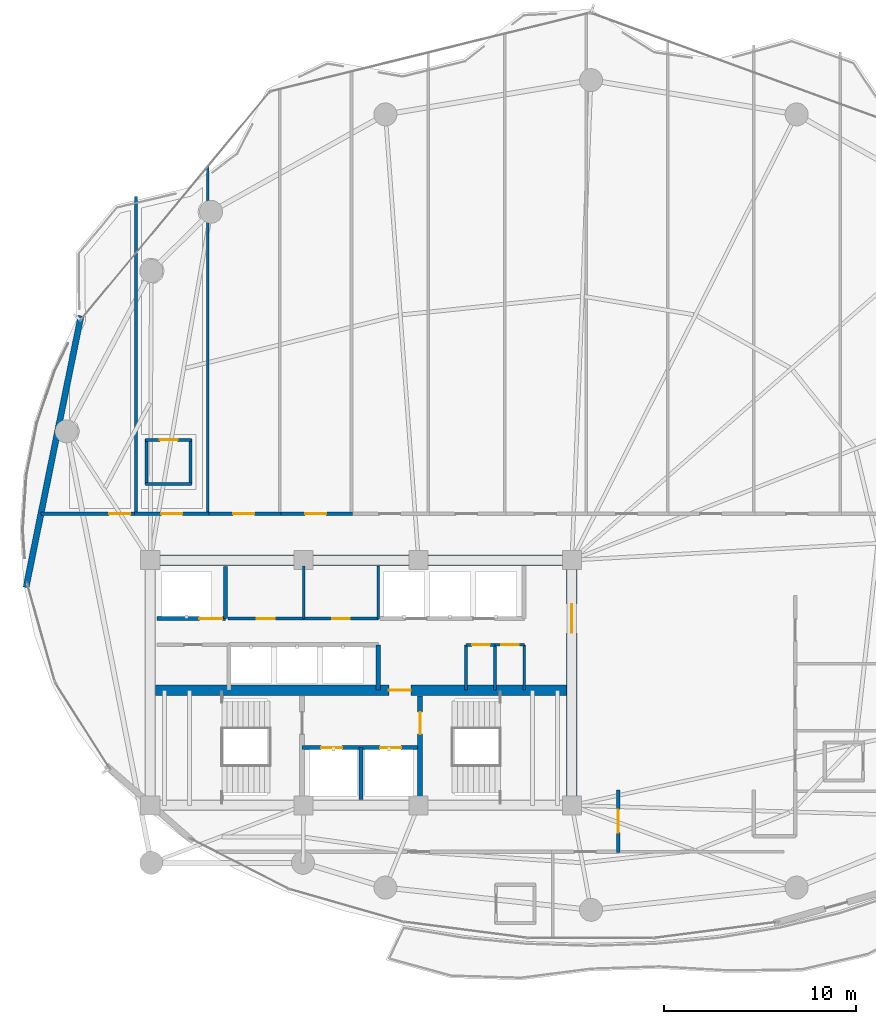
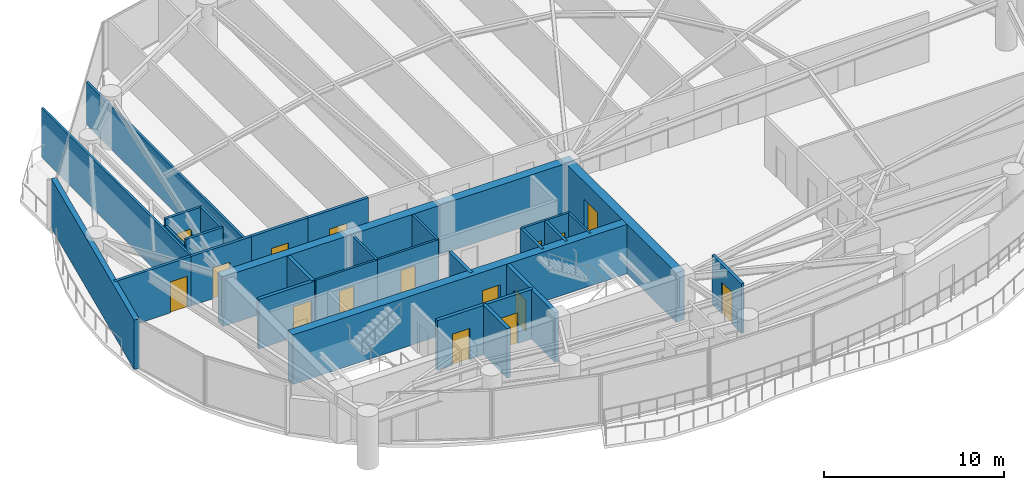
# One storey, part 23 of 28: 30 walls, 16 doors, 16 openings.
"""IFC4 building model written with IfcOpenShell, lengths in metres."""

import ifcopenshell
import ifcopenshell.guid

model = None  # the IFC model being written
_history = None  # IfcOwnerHistory: only IFC2X3 demands one
_inside = {}  # id of a spatial element -> (the spatial element, [elements in it])
_under = {}  # id of a project, library or spatial element -> (it, [spatial elements below it])
_declared = {}  # id of a project -> (the project, [libraries it declares])
_typed = {}  # id of a type object -> (the type object, [elements of that type])
_made_of = {}  # id of a material, layer set ... -> (it, [elements and type objects made of it])


def new_model(schema):
    """Start an empty IFC model of exactly this schema.

    Asked for "IFC4X3", IfcOpenShell would pick the latest addendum, in which some entities
    have other attributes; the version numbers below select the first issue.
    IFC2X3 requires an IfcOwnerHistory on every rooted entity: one is made here for all.
    """
    global model, _history
    if schema == "IFC4X3":
        model = ifcopenshell.file(schema_version=(4, 3, 0, 0))
    else:
        model = ifcopenshell.file(schema=schema)
    _inside.clear()
    _under.clear()
    _declared.clear()
    _typed.clear()
    _made_of.clear()
    _history = None
    if model.schema == "IFC2X3":
        org = make("IfcOrganization", Name="unknown")
        user = make(
            "IfcPersonAndOrganization",
            ThePerson=make("IfcPerson", FamilyName="unknown"),
            TheOrganization=org,
        )
        app = make(
            "IfcApplication",
            ApplicationDeveloper=org,
            Version="unknown",
            ApplicationFullName="unknown",
            ApplicationIdentifier="unknown",
        )
        _history = make(
            "IfcOwnerHistory",
            OwningUser=user,
            OwningApplication=app,
            ChangeAction="ADDED",
            CreationDate=0,
        )
    return model


def make(cls, **values):
    """One entity of the class cls with the attributes given. An attribute that is None is left unset."""
    return model.create_entity(
        cls, **{name: value for name, value in values.items() if value is not None}
    )


def rooted(cls, **values):
    """An entity with a GlobalId (a new one), such as an element, a storey or a relation."""
    return make(cls, GlobalId=ifcopenshell.guid.new(), OwnerHistory=_history, **values)


def si_unit(unit_type, name, prefix=None):
    """IfcSIUnit, for example si_unit("LENGTHUNIT", "METRE", prefix="MILLI")."""
    return make("IfcSIUnit", UnitType=unit_type, Prefix=prefix, Name=name)


def assignment(units):
    """IfcUnitAssignment: the units of a project."""
    return None if units is None else make("IfcUnitAssignment", Units=units)


def point(xyz):
    """IfcCartesianPoint."""
    return None if xyz is None else make("IfcCartesianPoint", Coordinates=xyz)


def direction(xyz):
    """IfcDirection."""
    return None if xyz is None else make("IfcDirection", DirectionRatios=xyz)


def frame(location, z_axis=None, x_axis=None):
    """IfcAxis2Placement3D, a coordinate frame: its origin and axes. An axis left out is left unset."""
    return make(
        "IfcAxis2Placement3D",
        Location=point(location),
        Axis=direction(z_axis),
        RefDirection=direction(x_axis),
    )


def frame_2d(location, x_axis=None):
    """IfcAxis2Placement2D, a coordinate frame in the plane: its origin and x axis."""
    return make(
        "IfcAxis2Placement2D", Location=point(location), RefDirection=direction(x_axis)
    )


def origin():
    """The frame at (0, 0, 0) with its axes left unset."""
    return frame((0.0, 0.0, 0.0))


def place(relative_to, where):
    """IfcLocalPlacement: puts the frame where relative to a parent placement (None: the world)."""
    return make(
        "IfcLocalPlacement", PlacementRelTo=relative_to, RelativePlacement=where
    )


def context(
    kind, dimensions, precision=None, world=None, true_north=None, identifier=None
):
    """IfcGeometricRepresentationContext, for example the 3D "Model" context."""
    return make(
        "IfcGeometricRepresentationContext",
        ContextIdentifier=identifier,
        ContextType=kind,
        CoordinateSpaceDimension=dimensions,
        Precision=precision,
        WorldCoordinateSystem=world,
        TrueNorth=true_north,
    )


def subcontext(parent, identifier, kind, view, scale=None):
    """IfcGeometricRepresentationSubContext, for example "Body" below "Model"."""
    return make(
        "IfcGeometricRepresentationSubContext",
        ContextIdentifier=identifier,
        ContextType=kind,
        ParentContext=parent,
        TargetScale=scale,
        TargetView=view,
    )


def project(units=None, contexts=None):
    """IfcProject with its units and contexts."""
    return rooted(
        "IfcProject",
        Name="project",
        RepresentationContexts=contexts,
        UnitsInContext=assignment(units),
    )


def spatial(cls, under=None, at=None, **own):
    """A site, building, storey or space (cls), placed at a placement, below another one or the project."""
    s = rooted(cls, ObjectPlacement=at, **own)
    if under is not None:
        _under.setdefault(under.id(), (under, []))[1].append(s)
    return s


def profile(cls, at=None, kind="AREA", **sizes):
    """A parametric profile (cls). Its sizes go by their IFC names, for example OverallWidth=200.0."""
    return make(cls, ProfileType=kind, Position=at, **sizes)


def rectangle(**sizes):
    """IfcRectangleProfileDef."""
    return profile("IfcRectangleProfileDef", **sizes)


def extrude(swept, where, along, depth):
    """IfcExtrudedAreaSolid: the profile swept, set in the frame where, extruded along a direction by depth."""
    return make(
        "IfcExtrudedAreaSolid",
        SweptArea=swept,
        Position=where,
        ExtrudedDirection=direction(along),
        Depth=depth,
    )


def shape(context_of_items, identifier, shape_type, items):
    """IfcShapeRepresentation: the items that make up one representation, for example the "Body"."""
    return make(
        "IfcShapeRepresentation",
        ContextOfItems=context_of_items,
        RepresentationIdentifier=identifier,
        RepresentationType=shape_type,
        Items=items,
    )


def material(Name=None, Category=None):
    """IfcMaterial."""
    return make("IfcMaterial", Name=Name, Category=Category)


def layer(
    of_material, thickness, ventilated=None, Name=None, Category=None, Priority=None
):
    """IfcMaterialLayer: one layer of a wall or slab, of a material (None: an air gap)."""
    return make(
        "IfcMaterialLayer",
        Material=of_material,
        LayerThickness=thickness,
        IsVentilated=ventilated,
        Name=Name,
        Category=Category,
        Priority=Priority,
    )


def layer_set(layers, Name=None):
    """IfcMaterialLayerSet."""
    return make("IfcMaterialLayerSet", MaterialLayers=layers, LayerSetName=Name)


def made_of(thing, what):
    """Note that an element or type object is made of a material, layer set ...; save() writes the relation."""
    if what is not None:
        _made_of.setdefault(what.id(), (what, []))[1].append(thing)
    return thing


def type_object(cls, material=None, **own):
    """A type object (cls), such as IfcWallType, which elements share."""
    return made_of(rooted(cls, **own), material)


def element(
    cls,
    number,
    at=None,
    inside=None,
    cuts=None,
    type_object=None,
    material=None,
    context=None,
    identifier="Body",
    shape_type=None,
    held_by="IfcProductDefinitionShape",
    body=None,
    shapes=None,
    **own,
):
    """One element of the class cls, such as IfcWall. Its Tag is "e" and its number.

    at: its placement. inside: the storey or other place that contains it. cuts: it is an
    opening in that element (IfcRelVoidsElement). A single representation is given by context,
    identifier, shape_type and body (its items); several are given by shapes. held_by: the class
    of the entity that holds the representations. save() writes the other relations.
    """
    e = rooted(cls, Tag="e%d" % number, ObjectPlacement=at, **own)
    if body is not None:
        shapes = [shape(context, identifier, shape_type, body)]
    if shapes is not None:
        e.Representation = make(held_by, Representations=shapes)
    if inside is not None:
        _inside.setdefault(inside.id(), (inside, []))[1].append(e)
    if cuts is not None:
        rooted(
            "IfcRelVoidsElement", RelatingBuildingElement=cuts, RelatedOpeningElement=e
        )
    if type_object is not None:
        _typed.setdefault(type_object.id(), (type_object, []))[1].append(e)
    return made_of(e, material)


def fill(opening, filler):
    """IfcRelFillsElement: the door or window that sits in an opening."""
    return rooted(
        "IfcRelFillsElement",
        RelatingOpeningElement=opening,
        RelatedBuildingElement=filler,
    )


def aggregate(whole, parts):
    """IfcRelAggregates: a whole, such as a stair, and the parts it consists of."""
    return rooted("IfcRelAggregates", RelatingObject=whole, RelatedObjects=parts)


def save(model, path):
    """Write the relations noted so far, then the file.

    IfcRelAggregates (storeys below a building ...), IfcRelContainedInSpatialStructure (elements
    in a storey), IfcRelDefinesByType, IfcRelAssociatesMaterial and IfcRelDeclares: one each for
    every whole, place, type object, material and project.
    """
    for whole, parts in _under.values():
        aggregate(whole, parts)
    for where, things in _inside.values():
        rooted(
            "IfcRelContainedInSpatialStructure",
            RelatedElements=things,
            RelatingStructure=where,
        )
    for kind, things in _typed.values():
        rooted("IfcRelDefinesByType", RelatedObjects=things, RelatingType=kind)
    for what, things in _made_of.values():
        rooted("IfcRelAssociatesMaterial", RelatedObjects=things, RelatingMaterial=what)
    for by, libraries in _declared.values():
        rooted("IfcRelDeclares", RelatingContext=by, RelatedDefinitions=libraries)
    model.write(path)


model = new_model("IFC4")

# Units and contexts
model_context = context("Model", 3, precision=1e-05, world=origin(), true_north=direction((0.0, 1.0)))
body_context = subcontext(model_context, "Body", "Model", "MODEL_VIEW")
ifc_project = project(units=[si_unit("LENGTHUNIT", "METRE"), si_unit("AREAUNIT", "SQUARE_METRE"), si_unit("VOLUMEUNIT", "CUBIC_METRE"), si_unit("PLANEANGLEUNIT", "RADIAN"), si_unit("MASSUNIT", "GRAM", prefix="KILO")], contexts=[model_context])

# Site, building, storey
site_placement = place(None, origin())
site = spatial("IfcSite", under=ifc_project, at=site_placement, CompositionType="ELEMENT")
building_placement = place(site_placement, origin())
building = spatial("IfcBuilding", under=site, at=building_placement, Name="Kazevale Care Tower and Concert Hall", CompositionType="ELEMENT")
storey_placement = place(building_placement, frame((0.0, 0.0, 120.60009765625)))
storey = spatial("IfcBuildingStorey", under=building, at=storey_placement, Name="L31", CompositionType="ELEMENT", Elevation=120.60009765625)

# Wall, opening, door
ifc_material_1 = material(Name="Acoustic Gypsum on Steel Stud", Category="steel")
ifc_layer_1 = layer(ifc_material_1, 0.139892578125)
ifc_layer_set_1 = layer_set([ifc_layer_1], Name="Acoustic Gypsum on Steel Stud")
wall_type_1 = type_object("IfcWallType", Name="Acoustic Care & Suite Partition 140", PredefinedType="PARTITIONING", material=ifc_layer_set_1)
wall_1_placement = place(storey_placement, frame((26.050048828125, 33.35009765625, 0.0), z_axis=(0.0, 0.0, 1.0), x_axis=(1.0, 0.0, 0.0)))
wall_1 = element("IfcWall", 1, at=wall_1_placement, inside=storey, type_object=wall_type_1, Name="wall:L31:c_rpl1_s", PredefinedType="PARTITIONING", context=body_context, shape_type="SweptSolid", body=[
    extrude(rectangle(XDim=3.949951171875, YDim=0.139892578125, at=frame_2d((1.97509765625, 0.0))), origin(), (0.0, 0.0, 1.0), 3.35986328125),
])
opening_1_placement = place(wall_1_placement, frame((1.514892578125, 0.0, 0.0)))
opening_1 = element("IfcOpeningElement", 2, at=opening_1_placement, cuts=wall_1, Name="Opening ID-900", PredefinedType="OPENING", context=body_context, shape_type="SweptSolid", body=[
    extrude(rectangle(XDim=0.919921875, YDim=2.10009765625, at=frame_2d((0.4599609375, 1.050048828125))), frame((0.0, 0.079833984375, 0.0), z_axis=(0.0, -1.0, 0.0), x_axis=(1.0, 0.0, 0.0)), (0.0, 0.0, 1.0), 0.159912109375),
])
ifc_material_2 = material(Name="Oak Timber Fire Leaf", Category="wood")
door_type_1 = type_object("IfcDoorType", Name="Bathroom & Service Door 920x2100", OperationType="NOTDEFINED", PredefinedType="DOOR", material=ifc_material_2)
door_1_placement = place(opening_1_placement, origin())
door_1 = element("IfcDoor", 3, at=door_1_placement, inside=storey, type_object=door_type_1, Name="door:L31:d_rpl1", OperationType="SINGLE_SWING_LEFT", OverallHeight=2.10009765625, OverallWidth=0.919921875, PredefinedType="DOOR", context=body_context, shape_type="SweptSolid", body=[
    extrude(rectangle(XDim=0.919921875, YDim=2.10009765625, at=frame_2d((0.4599609375, 1.050048828125))), frame((0.0, 0.02490234375, 0.0), z_axis=(0.0, -1.0, 0.0), x_axis=(1.0, 0.0, 0.0)), (0.0, 0.0, 1.0), 0.050048828125),
])
fill(opening_1, door_1)

wall_2_placement = place(storey_placement, frame((30.0, 33.35009765625, 0.0), z_axis=(0.0, 0.0, 1.0), x_axis=(1.0, 0.0, 0.0)))
wall_2 = element("IfcWall", 4, at=wall_2_placement, inside=storey, type_object=wall_type_1, Name="wall:L31:c_rpl2_s", PredefinedType="PARTITIONING", context=body_context, shape_type="SweptSolid", body=[
    extrude(rectangle(XDim=3.919921875, YDim=0.139892578125, at=frame_2d((1.9599609375, 0.0))), origin(), (0.0, 0.0, 1.0), 3.35986328125),
])
opening_2_placement = place(wall_2_placement, frame((1.5, 0.0, 0.0)))
opening_2 = element("IfcOpeningElement", 5, at=opening_2_placement, cuts=wall_2, Name="Opening ID-900", PredefinedType="OPENING", context=body_context, shape_type="SweptSolid", body=[
    extrude(rectangle(XDim=0.919921875, YDim=2.10009765625, at=frame_2d((0.4599609375, 1.050048828125))), frame((0.0, 0.079833984375, 0.0), z_axis=(0.0, -1.0, 0.0), x_axis=(1.0, 0.0, 0.0)), (0.0, 0.0, 1.0), 0.159912109375),
])
door_2_placement = place(opening_2_placement, origin())
door_2 = element("IfcDoor", 6, at=door_2_placement, inside=storey, type_object=door_type_1, Name="door:L31:d_rpl2", OperationType="SINGLE_SWING_RIGHT", OverallHeight=2.10009765625, OverallWidth=0.919921875, PredefinedType="DOOR", context=body_context, shape_type="SweptSolid", body=[
    extrude(rectangle(XDim=0.919921875, YDim=2.10009765625, at=frame_2d((0.4599609375, 1.050048828125))), frame((0.0, 0.02490234375, 0.0), z_axis=(0.0, -1.0, 0.0), x_axis=(1.0, 0.0, 0.0)), (0.0, 0.0, 1.0), 0.050048828125),
])
fill(opening_2, door_2)

# Walls
for number, where, z_axis, x_axis, name in (
    (7, (30.0, 33.35009765625, 0.0), (0.0, 0.0, 1.0), (0.0, 1.0, 0.0), "wall:L31:c_rpl_m"),
    (8, (33.89990234375, 33.35009765625, 0.0), (0.0, 0.0, 1.0), (0.0, 1.0, 0.0), "wall:L31:c_rpl_e"),
):
    element("IfcWall", number, at=place(storey_placement, frame(where, z_axis=z_axis, x_axis=x_axis)), inside=storey, type_object=wall_type_1, Name=name, PredefinedType="PARTITIONING", context=body_context, shape_type="SweptSolid", body=[
        extrude(rectangle(XDim=2.75, YDim=0.139892578125, at=frame_2d((1.375, 0.0))), origin(), (0.0, 0.0, 1.0), 3.35986328125),
    ])
wall_3_placement = place(storey_placement, frame((41.52001953125, 29.6201171875, 0.0), z_axis=(0.0, 0.0, 1.0), x_axis=(0.0, 1.0, 0.0)))
element("IfcWall", 9, at=wall_3_placement, inside=storey, type_object=wall_type_1, Name="wall:L31:ka_ee", PredefinedType="PARTITIONING", context=body_context, shape_type="SweptSolid", body=[
    extrude(rectangle(XDim=2.35986328125, YDim=0.139892578125, at=frame_2d((1.179931640625, 0.0))), origin(), (0.0, 0.0, 1.0), 3.35986328125),
])

# Wall, opening, door
wall_4_placement = place(storey_placement, frame((40.0, 31.97998046875, 0.0), z_axis=(0.0, 0.0, 1.0), x_axis=(1.0, 0.0, 0.0)))
wall_4 = element("IfcWall", 10, at=wall_4_placement, inside=storey, type_object=wall_type_1, Name="wall:L31:ka_en2", PredefinedType="PARTITIONING", context=body_context, shape_type="SweptSolid", body=[
    extrude(rectangle(XDim=1.52001953125, YDim=0.139892578125, at=frame_2d((0.760009765625, 0.0))), origin(), (0.0, 0.0, 1.0), 3.35986328125),
])
opening_3_placement = place(wall_4_placement, frame((0.320068359375, 0.0, 0.0)))
opening_3 = element("IfcOpeningElement", 11, at=opening_3_placement, cuts=wall_4, Name="Opening ID-900", PredefinedType="OPENING", context=body_context, shape_type="SweptSolid", body=[
    extrude(rectangle(XDim=0.919921875, YDim=2.10009765625, at=frame_2d((0.4599609375, 1.050048828125))), frame((0.0, 0.079833984375, 0.0), z_axis=(0.0, -1.0, 0.0), x_axis=(1.0, 0.0, 0.0)), (0.0, 0.0, 1.0), 0.159912109375),
])
door_3_placement = place(opening_3_placement, origin())
door_3 = element("IfcDoor", 12, at=door_3_placement, inside=storey, type_object=door_type_1, Name="door:L31:d_kae2", OperationType="SINGLE_SWING_RIGHT", OverallHeight=2.10009765625, OverallWidth=0.919921875, PredefinedType="DOOR", context=body_context, shape_type="SweptSolid", body=[
    extrude(rectangle(XDim=0.919921875, YDim=2.10009765625, at=frame_2d((0.4599609375, 1.050048828125))), frame((0.0, 0.02490234375, 0.0), z_axis=(0.0, -1.0, 0.0), x_axis=(1.0, 0.0, 0.0)), (0.0, 0.0, 1.0), 0.050048828125),
])
fill(opening_3, door_3)

# Walls
wall_5_placement = place(storey_placement, frame((21.25, 55.3779296875, 0.0), z_axis=(0.0, 0.0, 1.0), x_axis=(0.0, -1.0, 0.0)))
element("IfcWall", 13, at=wall_5_placement, inside=storey, type_object=wall_type_1, Name="wall:L31:auto_021", PredefinedType="PARTITIONING", context=body_context, shape_type="SweptSolid", body=[
    extrude(rectangle(XDim=16.5830078125, YDim=0.139892578125, at=frame_2d((8.29150390625, 0.0))), origin(), (0.0, 0.0, 1.0), 3.35986328125),
])
wall_6_placement = place(storey_placement, frame((25.0, 56.931396484375, 0.0), z_axis=(0.0, 0.0, 1.0), x_axis=(0.0, -1.0, 0.0)))
element("IfcWall", 14, at=wall_6_placement, inside=storey, type_object=wall_type_1, Name="wall:L31:auto_022", PredefinedType="PARTITIONING", context=body_context, shape_type="SweptSolid", body=[
    extrude(rectangle(XDim=18.136474609375, YDim=0.139892578125, at=frame_2d((9.068359375, 0.0))), origin(), (0.0, 0.0, 1.0), 2.889892578125),
])
ifc_material_3 = material(Name="Concrete C60", Category="concrete")
ifc_layer_2 = layer(ifc_material_3, 0.550048828125)
ifc_layer_set_2 = layer_set([ifc_layer_2], Name="Concrete C60")
wall_type_2 = type_object("IfcWallType", Name="Core Shear Wall 550 C60", PredefinedType="SHEAR", material=ifc_layer_set_2)
wall_7_placement = place(storey_placement, frame((21.72509765625, 36.39990234375, 0.0), z_axis=(0.0, 0.0, 1.0), x_axis=(1.0, 0.0, 0.0)))
element("IfcWall", 15, at=wall_7_placement, inside=storey, type_object=wall_type_2, Name="wall:L31:core:N", PredefinedType="SHEAR", context=body_context, shape_type="SweptSolid", body=[
    extrude(rectangle(XDim=22.5498046875, YDim=0.550048828125, at=frame_2d((11.27490234375, 0.0))), origin(), (0.0, 0.0, 1.0), 3.35986328125),
])

# Wall, opening, door
wall_8_placement = place(storey_placement, frame((44.0, 23.875, 0.0), z_axis=(0.0, 0.0, 1.0), x_axis=(0.0, 1.0, 0.0)))
wall_8 = element("IfcWall", 16, at=wall_8_placement, inside=storey, type_object=wall_type_2, Name="wall:L31:core:E", PredefinedType="SHEAR", context=body_context, shape_type="SweptSolid", body=[
    extrude(rectangle(XDim=12.25, YDim=0.550048828125, at=frame_2d((6.125, 0.0))), origin(), (0.0, 0.0, 1.0), 3.35986328125),
])
opening_4_placement = place(wall_8_placement, frame((8.72509765625, 0.0, 0.0)))
opening_4 = element("IfcOpeningElement", 17, at=opening_4_placement, cuts=wall_8, Name="Opening FD-60D", PredefinedType="OPENING", context=body_context, shape_type="SweptSolid", body=[
    extrude(rectangle(XDim=1.5, YDim=2.14990234375, at=frame_2d((0.75, 1.074951171875))), frame((0.0, 0.284912109375, 0.0), z_axis=(0.0, -1.0, 0.0), x_axis=(1.0, 0.0, 0.0)), (0.0, 0.0, 1.0), 0.570068359375),
])
door_type_2 = type_object("IfcDoorType", Name="Double Lobby & Auditorium Fire Door 1500x2150", OperationType="NOTDEFINED", PredefinedType="DOOR", material=ifc_material_2)
door_4_placement = place(opening_4_placement, origin())
door_4 = element("IfcDoor", 18, at=door_4_placement, inside=storey, type_object=door_type_2, Name="door:L31:core_east_out", OperationType="DOUBLE_DOOR_SINGLE_SWING", OverallHeight=2.14990234375, OverallWidth=1.5, PredefinedType="DOOR", context=body_context, shape_type="SweptSolid", body=[
    extrude(rectangle(XDim=1.5, YDim=2.14990234375, at=frame_2d((0.75, 1.074951171875))), frame((0.0, 0.02490234375, 0.0), z_axis=(0.0, -1.0, 0.0), x_axis=(1.0, 0.0, 0.0)), (0.0, 0.0, 1.0), 0.050048828125),
])
fill(opening_4, door_4)

wall_9_placement = place(storey_placement, frame((22.27490234375, 29.60009765625, 0.0), z_axis=(0.0, 0.0, 1.0), x_axis=(1.0, 0.0, 0.0)))
wall_9 = element("IfcWall", 19, at=wall_9_placement, inside=storey, type_object=wall_type_2, Name="wall:L31:core:M", PredefinedType="SHEAR", context=body_context, shape_type="SweptSolid", body=[
    extrude(rectangle(XDim=21.4501953125, YDim=0.550048828125, at=frame_2d((10.72509765625, 0.0))), origin(), (0.0, 0.0, 1.0), 3.35986328125),
])
opening_5_placement = place(wall_9_placement, frame((12.175048828125, 0.0, 0.0)))
opening_5 = element("IfcOpeningElement", 20, at=opening_5_placement, cuts=wall_9, Name="Opening FD-90", PredefinedType="OPENING", context=body_context, shape_type="SweptSolid", body=[
    extrude(rectangle(XDim=1.14990234375, YDim=2.10009765625, at=frame_2d((0.574951171875, 1.050048828125))), frame((0.0, 0.284912109375, 0.0), z_axis=(0.0, -1.0, 0.0), x_axis=(1.0, 0.0, 0.0)), (0.0, 0.0, 1.0), 0.570068359375),
])
ifc_material_4 = material(Name="Steel ASTM A572 Gr 50", Category="steel")
door_type_3 = type_object("IfcDoorType", Name="Pressurized Stair & Lobby Fire Door 1150x2100", OperationType="NOTDEFINED", PredefinedType="DOOR", material=ifc_material_4)
door_5_placement = place(opening_5_placement, origin())
door_5 = element("IfcDoor", 21, at=door_5_placement, inside=storey, type_object=door_type_3, Name="door:L31:ff_to_pax", OperationType="SINGLE_SWING_LEFT", OverallHeight=2.10009765625, OverallWidth=1.14990234375, PredefinedType="DOOR", context=body_context, shape_type="SweptSolid", body=[
    extrude(rectangle(XDim=1.14990234375, YDim=2.10009765625, at=frame_2d((0.574951171875, 1.050048828125))), frame((0.0, 0.02490234375, 0.0), z_axis=(0.0, -1.0, 0.0), x_axis=(1.0, 0.0, 0.0)), (0.0, 0.0, 1.0), 0.050048828125),
])
fill(opening_5, door_5)

# Wall, openings, doors
ifc_material_5 = material(Name="Concrete C40", Category="concrete")
ifc_layer_3 = layer(ifc_material_5, 0.219970703125)
ifc_layer_set_3 = layer_set([ifc_layer_3], Name="Concrete C40")
wall_type_3 = type_object("IfcWallType", Name="Elevator Hoistway Shaft Wall 220", PredefinedType="SOLIDWALL", material=ifc_layer_set_3)
wall_10_placement = place(storey_placement, frame((29.919921875, 26.6201171875, 0.0), z_axis=(0.0, 0.0, 1.0), x_axis=(1.0, 0.0, 0.0)))
wall_10 = element("IfcWall", 22, at=wall_10_placement, inside=storey, type_object=wall_type_3, Name="wall:L31:c_ffl_n", PredefinedType="SOLIDWALL", context=body_context, shape_type="SweptSolid", body=[
    extrude(rectangle(XDim=6.16015625, YDim=0.219970703125, at=frame_2d((3.080078125, 0.0))), origin(), (0.0, 0.0, 1.0), 3.35986328125),
])
opening_6_placement = place(wall_10_placement, frame((0.989990234375, 0.0, 0.0)))
opening_6 = element("IfcOpeningElement", 23, at=opening_6_placement, cuts=wall_10, Name="Opening LD-FF", PredefinedType="OPENING", context=body_context, shape_type="SweptSolid", body=[
    extrude(rectangle(XDim=1.10009765625, YDim=2.10009765625, at=frame_2d((0.550048828125, 1.050048828125))), frame((0.0, 0.119873046875, 0.0), z_axis=(0.0, -1.0, 0.0), x_axis=(1.0, 0.0, 0.0)), (0.0, 0.0, 1.0), 0.239990234375),
])
opening_7_placement = place(wall_10_placement, frame((4.070068359375, 0.0, 0.0)))
opening_7 = element("IfcOpeningElement", 24, at=opening_7_placement, cuts=wall_10, Name="Opening LD-FF", PredefinedType="OPENING", context=body_context, shape_type="SweptSolid", body=[
    extrude(rectangle(XDim=1.10009765625, YDim=2.10009765625, at=frame_2d((0.550048828125, 1.050048828125))), frame((0.0, 0.119873046875, 0.0), z_axis=(0.0, -1.0, 0.0), x_axis=(1.0, 0.0, 0.0)), (0.0, 0.0, 1.0), 0.239990234375),
])
ifc_material_6 = material(Name="Stainless Steel 316", Category="steel")
door_type_4 = type_object("IfcDoorType", Name="Emergency Lift Sliding Landing Door 1100x2100", OperationType="NOTDEFINED", PredefinedType="DOOR", material=ifc_material_6)
door_6_placement = place(opening_6_placement, origin())
door_6 = element("IfcDoor", 25, at=door_6_placement, inside=storey, type_object=door_type_4, Name="door:L31:ld_ffl1", OperationType="SLIDING_TO_LEFT", OverallHeight=2.10009765625, OverallWidth=1.10009765625, PredefinedType="DOOR", context=body_context, shape_type="SweptSolid", body=[
    extrude(rectangle(XDim=1.10009765625, YDim=2.10009765625, at=frame_2d((0.550048828125, 1.050048828125))), frame((0.0, 0.02490234375, 0.0), z_axis=(0.0, -1.0, 0.0), x_axis=(1.0, 0.0, 0.0)), (0.0, 0.0, 1.0), 0.050048828125),
])
fill(opening_6, door_6)
door_7_placement = place(opening_7_placement, origin())
door_7 = element("IfcDoor", 26, at=door_7_placement, inside=storey, type_object=door_type_4, Name="door:L31:ld_ffl2", OperationType="SLIDING_TO_RIGHT", OverallHeight=2.10009765625, OverallWidth=1.10009765625, PredefinedType="DOOR", context=body_context, shape_type="SweptSolid", body=[
    extrude(rectangle(XDim=1.10009765625, YDim=2.10009765625, at=frame_2d((0.550048828125, 1.050048828125))), frame((0.0, 0.02490234375, 0.0), z_axis=(0.0, -1.0, 0.0), x_axis=(1.0, 0.0, 0.0)), (0.0, 0.0, 1.0), 0.050048828125),
])
fill(opening_7, door_7)

# Walls
wall_11_placement = place(storey_placement, frame((33.0, 23.89990234375, 0.0), z_axis=(0.0, 0.0, 1.0), x_axis=(0.0, 1.0, 0.0)))
element("IfcWall", 27, at=wall_11_placement, inside=storey, type_object=wall_type_3, Name="wall:L31:c_ffl_m", PredefinedType="SOLIDWALL", context=body_context, shape_type="SweptSolid", body=[
    extrude(rectangle(XDim=2.72021484375, YDim=0.219970703125, at=frame_2d((1.360107421875, 0.0))), origin(), (0.0, 0.0, 1.0), 3.35986328125),
])
wall_12_placement = place(storey_placement, frame((25.919921875, 33.35009765625, 0.0), z_axis=(0.0, 0.0, 1.0), x_axis=(0.0, 1.0, 0.0)))
element("IfcWall", 28, at=wall_12_placement, inside=storey, type_object=wall_type_3, Name="wall:L31:c_svl_e", PredefinedType="SOLIDWALL", context=body_context, shape_type="SweptSolid", body=[
    extrude(rectangle(XDim=2.72998046875, YDim=0.219970703125, at=frame_2d((1.364990234375, 0.0))), origin(), (0.0, 0.0, 1.0), 3.35986328125),
])

# Wall, opening, door
wall_13_placement = place(storey_placement, frame((22.35009765625, 33.35009765625, 0.0), z_axis=(0.0, 0.0, 1.0), x_axis=(1.0, 0.0, 0.0)))
wall_13 = element("IfcWall", 29, at=wall_13_placement, inside=storey, type_object=wall_type_3, Name="wall:L31:c_svl_s", PredefinedType="SOLIDWALL", context=body_context, shape_type="SweptSolid", body=[
    extrude(rectangle(XDim=3.56982421875, YDim=0.219970703125, at=frame_2d((1.784912109375, 0.0))), origin(), (0.0, 0.0, 1.0), 3.35986328125),
])
opening_8_placement = place(wall_13_placement, frame((2.212890625, 0.0, 0.0)))
opening_8 = element("IfcOpeningElement", 30, at=opening_8_placement, cuts=wall_13, Name="Opening LD-SV", PredefinedType="OPENING", context=body_context, shape_type="SweptSolid", body=[
    extrude(rectangle(XDim=1.199951171875, YDim=2.10009765625, at=frame_2d((0.60009765625, 1.050048828125))), frame((0.0, 0.119873046875, 0.0), z_axis=(0.0, -1.0, 0.0), x_axis=(1.0, 0.0, 0.0)), (0.0, 0.0, 1.0), 0.239990234375),
])
door_type_5 = type_object("IfcDoorType", Name="Service Lift Sliding Landing Door 1200x2100", OperationType="NOTDEFINED", PredefinedType="DOOR", material=ifc_material_6)
door_8_placement = place(opening_8_placement, origin())
door_8 = element("IfcDoor", 31, at=door_8_placement, inside=storey, type_object=door_type_5, Name="door:L31:ld_svl1", OperationType="SLIDING_TO_LEFT", OverallHeight=2.10009765625, OverallWidth=1.199951171875, PredefinedType="DOOR", context=body_context, shape_type="SweptSolid", body=[
    extrude(rectangle(XDim=1.199951171875, YDim=2.10009765625, at=frame_2d((0.60009765625, 1.050048828125))), frame((0.0, 0.02490234375, 0.0), z_axis=(0.0, -1.0, 0.0), x_axis=(1.0, 0.0, 0.0)), (0.0, 0.0, 1.0), 0.050048828125),
])
fill(opening_8, door_8)

# Wall
wall_14_placement = place(storey_placement, frame((33.89990234375, 29.6201171875, 0.0), z_axis=(0.0, 0.0, 1.0), x_axis=(0.0, 1.0, 0.0)))
element("IfcWall", 32, at=wall_14_placement, inside=storey, type_object=wall_type_3, Name="wall:L31:c_ph_e", PredefinedType="SOLIDWALL", context=body_context, shape_type="SweptSolid", body=[
    extrude(rectangle(XDim=2.35986328125, YDim=0.219970703125, at=frame_2d((1.179931640625, 0.0))), origin(), (0.0, 0.0, 1.0), 3.35986328125),
])

# Wall, opening, door
ifc_material_7 = material(Name="Concrete C40 and Acoustic Gypsum", Category="concrete")
ifc_layer_4 = layer(ifc_material_7, 0.179931640625)
ifc_layer_set_4 = layer_set([ifc_layer_4], Name="Concrete C40 and Acoustic Gypsum")
wall_type_4 = type_object("IfcWallType", Name="Fire-Rated Corridor & Party Wall 180", PredefinedType="PARTITIONING", material=ifc_layer_set_4)
wall_15_placement = place(storey_placement, frame((16.3046875, 38.824951171875, 0.0), z_axis=(0.0, 0.0, 1.0), x_axis=(1.0, 0.0, 0.0)))
wall_15 = element("IfcWall", 33, at=wall_15_placement, inside=storey, type_object=wall_type_4, Name="wall:L31:auto_001", PredefinedType="PARTITIONING", context=body_context, shape_type="SweptSolid", body=[
    extrude(rectangle(XDim=5.01025390625, YDim=0.179931640625, at=frame_2d((2.505126953125, 0.0))), origin(), (0.0, 0.0, 1.0), 3.35986328125),
])
opening_9_placement = place(wall_15_placement, frame((3.550048828125, 0.0, 0.0)))
opening_9 = element("IfcOpeningElement", 34, at=opening_9_placement, cuts=wall_15, Name="Opening ID-1100", PredefinedType="OPENING", context=body_context, shape_type="SweptSolid", body=[
    extrude(rectangle(XDim=1.10009765625, YDim=2.10009765625, at=frame_2d((0.550048828125, 1.050048828125))), frame((0.0, 0.099853515625, 0.0), z_axis=(0.0, -1.0, 0.0), x_axis=(1.0, 0.0, 0.0)), (0.0, 0.0, 1.0), 0.199951171875),
])
door_type_6 = type_object("IfcDoorType", Name="Care Bedroom Accessible Door 1100x2100", OperationType="NOTDEFINED", PredefinedType="DOOR", material=ifc_material_2)
door_9_placement = place(opening_9_placement, origin())
door_9 = element("IfcDoor", 35, at=door_9_placement, inside=storey, type_object=door_type_6, Name="door:L31:ad_001", OperationType="SINGLE_SWING_LEFT", OverallHeight=2.10009765625, OverallWidth=1.10009765625, PredefinedType="DOOR", context=body_context, shape_type="SweptSolid", body=[
    extrude(rectangle(XDim=1.10009765625, YDim=2.10009765625, at=frame_2d((0.550048828125, 1.050048828125))), frame((0.0, 0.02490234375, 0.0), z_axis=(0.0, -1.0, 0.0), x_axis=(1.0, 0.0, 0.0)), (0.0, 0.0, 1.0), 0.050048828125),
])
fill(opening_9, door_9)

wall_16_placement = place(storey_placement, frame((21.18505859375, 38.824951171875, 0.0), z_axis=(0.0, 0.0, 1.0), x_axis=(1.0, 0.0, 0.0)))
wall_16 = element("IfcWall", 36, at=wall_16_placement, inside=storey, type_object=wall_type_4, Name="wall:L31:auto_002", PredefinedType="PARTITIONING", context=body_context, shape_type="SweptSolid", body=[
    extrude(rectangle(XDim=3.8798828125, YDim=0.179931640625, at=frame_2d((1.93994140625, 0.0))), origin(), (0.0, 0.0, 1.0), 3.35986328125),
])
opening_10_placement = place(wall_16_placement, frame((1.389892578125, 0.0, 0.0)))
opening_10 = element("IfcOpeningElement", 37, at=opening_10_placement, cuts=wall_16, Name="Opening ID-1100", PredefinedType="OPENING", context=body_context, shape_type="SweptSolid", body=[
    extrude(rectangle(XDim=1.10009765625, YDim=2.10009765625, at=frame_2d((0.550048828125, 1.050048828125))), frame((0.0, 0.099853515625, 0.0), z_axis=(0.0, -1.0, 0.0), x_axis=(1.0, 0.0, 0.0)), (0.0, 0.0, 1.0), 0.199951171875),
])
door_10_placement = place(opening_10_placement, origin())
door_10 = element("IfcDoor", 38, at=door_10_placement, inside=storey, type_object=door_type_6, Name="door:L31:ad_002", OperationType="SINGLE_SWING_LEFT", OverallHeight=2.10009765625, OverallWidth=1.10009765625, PredefinedType="DOOR", context=body_context, shape_type="SweptSolid", body=[
    extrude(rectangle(XDim=1.10009765625, YDim=2.10009765625, at=frame_2d((0.550048828125, 1.050048828125))), frame((0.0, 0.02490234375, 0.0), z_axis=(0.0, -1.0, 0.0), x_axis=(1.0, 0.0, 0.0)), (0.0, 0.0, 1.0), 0.050048828125),
])
fill(opening_10, door_10)

wall_17_placement = place(storey_placement, frame((24.93505859375, 38.824951171875, 0.0), z_axis=(0.0, 0.0, 1.0), x_axis=(1.0, 0.0, 0.0)))
wall_17 = element("IfcWall", 39, at=wall_17_placement, inside=storey, type_object=wall_type_4, Name="wall:L31:auto_003", PredefinedType="PARTITIONING", context=body_context, shape_type="SweptSolid", body=[
    extrude(rectangle(XDim=3.8798828125, YDim=0.179931640625, at=frame_2d((1.93994140625, 0.0))), origin(), (0.0, 0.0, 1.0), 3.35986328125),
])
opening_11_placement = place(wall_17_placement, frame((1.389892578125, 0.0, 0.0)))
opening_11 = element("IfcOpeningElement", 40, at=opening_11_placement, cuts=wall_17, Name="Opening ID-1100", PredefinedType="OPENING", context=body_context, shape_type="SweptSolid", body=[
    extrude(rectangle(XDim=1.10009765625, YDim=2.10009765625, at=frame_2d((0.550048828125, 1.050048828125))), frame((0.0, 0.099853515625, 0.0), z_axis=(0.0, -1.0, 0.0), x_axis=(1.0, 0.0, 0.0)), (0.0, 0.0, 1.0), 0.199951171875),
])
door_11_placement = place(opening_11_placement, origin())
door_11 = element("IfcDoor", 41, at=door_11_placement, inside=storey, type_object=door_type_6, Name="door:L31:ad_003", OperationType="SINGLE_SWING_LEFT", OverallHeight=2.10009765625, OverallWidth=1.10009765625, PredefinedType="DOOR", context=body_context, shape_type="SweptSolid", body=[
    extrude(rectangle(XDim=1.10009765625, YDim=2.10009765625, at=frame_2d((0.550048828125, 1.050048828125))), frame((0.0, 0.02490234375, 0.0), z_axis=(0.0, -1.0, 0.0), x_axis=(1.0, 0.0, 0.0)), (0.0, 0.0, 1.0), 0.050048828125),
])
fill(opening_11, door_11)

wall_18_placement = place(storey_placement, frame((28.68505859375, 38.824951171875, 0.0), z_axis=(0.0, 0.0, 1.0), x_axis=(1.0, 0.0, 0.0)))
wall_18 = element("IfcWall", 42, at=wall_18_placement, inside=storey, type_object=wall_type_4, Name="wall:L31:auto_004", PredefinedType="PARTITIONING", context=body_context, shape_type="SweptSolid", body=[
    extrude(rectangle(XDim=3.8798828125, YDim=0.179931640625, at=frame_2d((1.93994140625, 0.0))), origin(), (0.0, 0.0, 1.0), 3.35986328125),
])
opening_12_placement = place(wall_18_placement, frame((1.389892578125, 0.0, 0.0)))
opening_12 = element("IfcOpeningElement", 43, at=opening_12_placement, cuts=wall_18, Name="Opening ID-1100", PredefinedType="OPENING", context=body_context, shape_type="SweptSolid", body=[
    extrude(rectangle(XDim=1.10009765625, YDim=2.10009765625, at=frame_2d((0.550048828125, 1.050048828125))), frame((0.0, 0.099853515625, 0.0), z_axis=(0.0, -1.0, 0.0), x_axis=(1.0, 0.0, 0.0)), (0.0, 0.0, 1.0), 0.199951171875),
])
door_12_placement = place(opening_12_placement, origin())
door_12 = element("IfcDoor", 44, at=door_12_placement, inside=storey, type_object=door_type_6, Name="door:L31:ad_004", OperationType="SINGLE_SWING_LEFT", OverallHeight=2.10009765625, OverallWidth=1.10009765625, PredefinedType="DOOR", context=body_context, shape_type="SweptSolid", body=[
    extrude(rectangle(XDim=1.10009765625, YDim=2.10009765625, at=frame_2d((0.550048828125, 1.050048828125))), frame((0.0, 0.02490234375, 0.0), z_axis=(0.0, -1.0, 0.0), x_axis=(1.0, 0.0, 0.0)), (0.0, 0.0, 1.0), 0.050048828125),
])
fill(opening_12, door_12)

wall_19_placement = place(storey_placement, frame((46.425048828125, 24.405029296875, 0.0), z_axis=(0.0, 0.0, 1.0), x_axis=(0.0, -1.0, 0.0)))
wall_19 = element("IfcWall", 45, at=wall_19_placement, inside=storey, type_object=wall_type_4, Name="wall:L31:auto_012", PredefinedType="PARTITIONING", context=body_context, shape_type="SweptSolid", body=[
    extrude(rectangle(XDim=3.260009765625, YDim=0.179931640625, at=frame_2d((1.6298828125, 0.0))), origin(), (0.0, 0.0, 1.0), 3.35986328125),
])
opening_13_placement = place(wall_19_placement, frame((1.030029296875, 0.0, 0.0)))
opening_13 = element("IfcOpeningElement", 46, at=opening_13_placement, cuts=wall_19, Name="Opening ID-1200", PredefinedType="OPENING", context=body_context, shape_type="SweptSolid", body=[
    extrude(rectangle(XDim=1.199951171875, YDim=2.14990234375, at=frame_2d((0.60009765625, 1.074951171875))), frame((0.0, 0.099853515625, 0.0), z_axis=(0.0, -1.0, 0.0), x_axis=(1.0, 0.0, 0.0)), (0.0, 0.0, 1.0), 0.199951171875),
])
door_type_7 = type_object("IfcDoorType", Name="Clinical & Therapy Door 1200x2150", OperationType="NOTDEFINED", PredefinedType="DOOR", material=ifc_material_2)
door_13_placement = place(opening_13_placement, origin())
door_13 = element("IfcDoor", 47, at=door_13_placement, inside=storey, type_object=door_type_7, Name="door:L31:ad_012", OperationType="SINGLE_SWING_LEFT", OverallHeight=2.14990234375, OverallWidth=1.199951171875, PredefinedType="DOOR", context=body_context, shape_type="SweptSolid", body=[
    extrude(rectangle(XDim=1.199951171875, YDim=2.14990234375, at=frame_2d((0.60009765625, 1.074951171875))), frame((0.0, 0.02490234375, 0.0), z_axis=(0.0, -1.0, 0.0), x_axis=(1.0, 0.0, 0.0)), (0.0, 0.0, 1.0), 0.050048828125),
])
fill(opening_13, door_13)

# Walls
ifc_layer_5 = layer(ifc_material_1, 0.159912109375)
ifc_layer_set_5 = layer_set([ifc_layer_5], Name="Acoustic Gypsum on Steel Stud")
wall_type_5 = type_object("IfcWallType", Name="Moisture-Resistant Bathroom Plumbing Wall 160", PredefinedType="PLUMBINGWALL", material=ifc_layer_set_5)
for number, where, z_axis, x_axis, name in (
    (48, (38.47998046875, 29.6201171875, 0.0), (0.0, 0.0, 1.0), (0.0, 1.0, 0.0), "wall:L31:ka_ew"),
    (49, (40.0, 29.6201171875, 0.0), (0.0, 0.0, 1.0), (0.0, 1.0, 0.0), "wall:L31:ka_em"),
):
    element("IfcWall", number, at=place(storey_placement, frame(where, z_axis=z_axis, x_axis=x_axis)), inside=storey, type_object=wall_type_5, Name=name, PredefinedType="PLUMBINGWALL", context=body_context, shape_type="SweptSolid", body=[
        extrude(rectangle(XDim=2.35986328125, YDim=0.159912109375, at=frame_2d((1.179931640625, 0.0))), origin(), (0.0, 0.0, 1.0), 3.35986328125),
    ])

# Wall, opening, door
wall_20_placement = place(storey_placement, frame((38.47998046875, 31.97998046875, 0.0), z_axis=(0.0, 0.0, 1.0), x_axis=(1.0, 0.0, 0.0)))
wall_20 = element("IfcWall", 50, at=wall_20_placement, inside=storey, type_object=wall_type_5, Name="wall:L31:ka_en1", PredefinedType="PLUMBINGWALL", context=body_context, shape_type="SweptSolid", body=[
    extrude(rectangle(XDim=1.52001953125, YDim=0.159912109375, at=frame_2d((0.760009765625, 0.0))), origin(), (0.0, 0.0, 1.0), 3.35986328125),
])
opening_14_placement = place(wall_20_placement, frame((0.320068359375, 0.0, 0.0)))
opening_14 = element("IfcOpeningElement", 51, at=opening_14_placement, cuts=wall_20, Name="Opening ID-900", PredefinedType="OPENING", context=body_context, shape_type="SweptSolid", body=[
    extrude(rectangle(XDim=0.919921875, YDim=2.10009765625, at=frame_2d((0.4599609375, 1.050048828125))), frame((0.0, 0.08984375, 0.0), z_axis=(0.0, -1.0, 0.0), x_axis=(1.0, 0.0, 0.0)), (0.0, 0.0, 1.0), 0.179931640625),
])
door_14_placement = place(opening_14_placement, origin())
door_14 = element("IfcDoor", 52, at=door_14_placement, inside=storey, type_object=door_type_1, Name="door:L31:d_kae1", OperationType="SINGLE_SWING_LEFT", OverallHeight=2.10009765625, OverallWidth=0.919921875, PredefinedType="DOOR", context=body_context, shape_type="SweptSolid", body=[
    extrude(rectangle(XDim=0.919921875, YDim=2.10009765625, at=frame_2d((0.4599609375, 1.050048828125))), frame((0.0, 0.02490234375, 0.0), z_axis=(0.0, -1.0, 0.0), x_axis=(1.0, 0.0, 0.0)), (0.0, 0.0, 1.0), 0.050048828125),
])
fill(opening_14, door_14)

# Wall
wall_21_placement = place(storey_placement, frame((21.760009765625, 40.375, 0.0), z_axis=(0.0, 0.0, 1.0), x_axis=(1.0, 0.0, 0.0)))
element("IfcWall", 53, at=wall_21_placement, inside=storey, type_object=wall_type_5, Name="wall:L31:nb2b_ens_ws", PredefinedType="PLUMBINGWALL", context=body_context, shape_type="SweptSolid", body=[
    extrude(rectangle(XDim=2.3798828125, YDim=0.159912109375, at=frame_2d((1.18994140625, 0.0))), origin(), (0.0, 0.0, 1.0), 3.35986328125),
])

# Wall, opening, door
wall_22_placement = place(storey_placement, frame((21.760009765625, 42.675048828125, 0.0), z_axis=(0.0, 0.0, 1.0), x_axis=(1.0, 0.0, 0.0)))
wall_22 = element("IfcWall", 54, at=wall_22_placement, inside=storey, type_object=wall_type_5, Name="wall:L31:nb2b_ens_wn", PredefinedType="PLUMBINGWALL", context=body_context, shape_type="SweptSolid", body=[
    extrude(rectangle(XDim=2.3798828125, YDim=0.159912109375, at=frame_2d((1.18994140625, 0.0))), origin(), (0.0, 0.0, 1.0), 3.35986328125),
])
opening_15_placement = place(wall_22_placement, frame((0.739990234375, 0.0, 0.0)))
opening_15 = element("IfcOpeningElement", 55, at=opening_15_placement, cuts=wall_22, Name="Opening ID-900", PredefinedType="OPENING", context=body_context, shape_type="SweptSolid", body=[
    extrude(rectangle(XDim=0.919921875, YDim=2.10009765625, at=frame_2d((0.4599609375, 1.050048828125))), frame((0.0, 0.08984375, 0.0), z_axis=(0.0, -1.0, 0.0), x_axis=(1.0, 0.0, 0.0)), (0.0, 0.0, 1.0), 0.179931640625),
])
door_15_placement = place(opening_15_placement, origin())
door_15 = element("IfcDoor", 56, at=door_15_placement, inside=storey, type_object=door_type_1, Name="door:L31:nb2b_ens_d", OperationType="SINGLE_SWING_LEFT", OverallHeight=2.10009765625, OverallWidth=0.919921875, PredefinedType="DOOR", context=body_context, shape_type="SweptSolid", body=[
    extrude(rectangle(XDim=0.919921875, YDim=2.10009765625, at=frame_2d((0.4599609375, 1.050048828125))), frame((0.0, 0.02490234375, 0.0), z_axis=(0.0, -1.0, 0.0), x_axis=(1.0, 0.0, 0.0)), (0.0, 0.0, 1.0), 0.050048828125),
])
fill(opening_15, door_15)

# Walls
wall_23_placement = place(storey_placement, frame((21.800048828125, 40.3349609375, 0.0), z_axis=(0.0, 0.0, 1.0), x_axis=(0.0, 1.0, 0.0)))
element("IfcWall", 57, at=wall_23_placement, inside=storey, type_object=wall_type_5, Name="wall:L31:nb2b_ens_ww", PredefinedType="PLUMBINGWALL", context=body_context, shape_type="SweptSolid", body=[
    extrude(rectangle(XDim=2.380126953125, YDim=0.159912109375, at=frame_2d((1.18994140625, 0.0))), origin(), (0.0, 0.0, 1.0), 2.889892578125),
])
wall_24_placement = place(storey_placement, frame((24.10009765625, 40.3349609375, 0.0), z_axis=(0.0, 0.0, 1.0), x_axis=(0.0, 1.0, 0.0)))
element("IfcWall", 58, at=wall_24_placement, inside=storey, type_object=wall_type_5, Name="wall:L31:nb2b_ens_we", PredefinedType="PLUMBINGWALL", context=body_context, shape_type="SweptSolid", body=[
    extrude(rectangle(XDim=2.380126953125, YDim=0.159912109375, at=frame_2d((1.18994140625, 0.0))), origin(), (0.0, 0.0, 1.0), 3.35986328125),
])

# Wall, opening, door
ifc_layer_6 = layer(ifc_material_5, 0.25)
ifc_layer_set_6 = layer_set([ifc_layer_6], Name="Concrete C40")
wall_type_6 = type_object("IfcWallType", Name="Pressurized Stair Shaft Wall 250", PredefinedType="SOLIDWALL", material=ifc_layer_set_6)
wall_25_placement = place(storey_placement, frame((36.080078125, 23.89990234375, 0.0), z_axis=(0.0, 0.0, 1.0), x_axis=(0.0, 1.0, 0.0)))
wall_25 = element("IfcWall", 59, at=wall_25_placement, inside=storey, type_object=wall_type_6, Name="wall:L31:c_st2_w", PredefinedType="SOLIDWALL", context=body_context, shape_type="SweptSolid", body=[
    extrude(rectangle(XDim=5.400146484375, YDim=0.25, at=frame_2d((2.7001953125, 0.0))), origin(), (0.0, 0.0, 1.0), 3.35986328125),
])
opening_16_placement = place(wall_25_placement, frame((3.4208984375, 0.0, 0.0)))
opening_16 = element("IfcOpeningElement", 60, at=opening_16_placement, cuts=wall_25, Name="Opening FD-90", PredefinedType="OPENING", context=body_context, shape_type="SweptSolid", body=[
    extrude(rectangle(XDim=1.14990234375, YDim=2.10009765625, at=frame_2d((0.574951171875, 1.050048828125))), frame((0.0, 0.135009765625, 0.0), z_axis=(0.0, -1.0, 0.0), x_axis=(1.0, 0.0, 0.0)), (0.0, 0.0, 1.0), 0.27001953125),
])
door_16_placement = place(opening_16_placement, origin())
door_16 = element("IfcDoor", 61, at=door_16_placement, inside=storey, type_object=door_type_3, Name="door:L31:st2", OperationType="SINGLE_SWING_LEFT", OverallHeight=2.10009765625, OverallWidth=1.14990234375, PredefinedType="DOOR", context=body_context, shape_type="SweptSolid", body=[
    extrude(rectangle(XDim=1.14990234375, YDim=2.10009765625, at=frame_2d((0.574951171875, 1.050048828125))), frame((0.0, 0.02490234375, 0.0), z_axis=(0.0, -1.0, 0.0), x_axis=(1.0, 0.0, 0.0)), (0.0, 0.0, 1.0), 0.050048828125),
])
fill(opening_16, door_16)

# Wall
ifc_material_8 = material(Name="Concrete C40 with Honed Limestone Cladding", Category="masonry")
ifc_layer_7 = layer(ifc_material_8, 0.320068359375)
ifc_layer_set_7 = layer_set([ifc_layer_7], Name="Concrete C40 with Honed Limestone Cladding")
wall_type_7 = type_object("IfcWallType", Name="Tower Honed Limestone Spandrel Wall 320", PredefinedType="STANDARD", material=ifc_layer_set_7)
wall_26_placement = place(storey_placement, frame((15.513916015625, 34.967041015625, 0.0), z_axis=(0.0, 0.0, 1.0), x_axis=(0.198370893133, 0.980127026848, 0.0)))
element("IfcWall", 62, at=wall_26_placement, inside=storey, type_object=wall_type_7, Name="wall:cw:L31:f13", PredefinedType="STANDARD", context=body_context, shape_type="SweptSolid", body=[
    extrude(rectangle(XDim=14.468505859375, YDim=0.320068359375, at=frame_2d((7.234375, 0.0))), origin(), (0.0, 0.0, 1.0), 3.35986328125),
])

save(model, "model.ifc")
